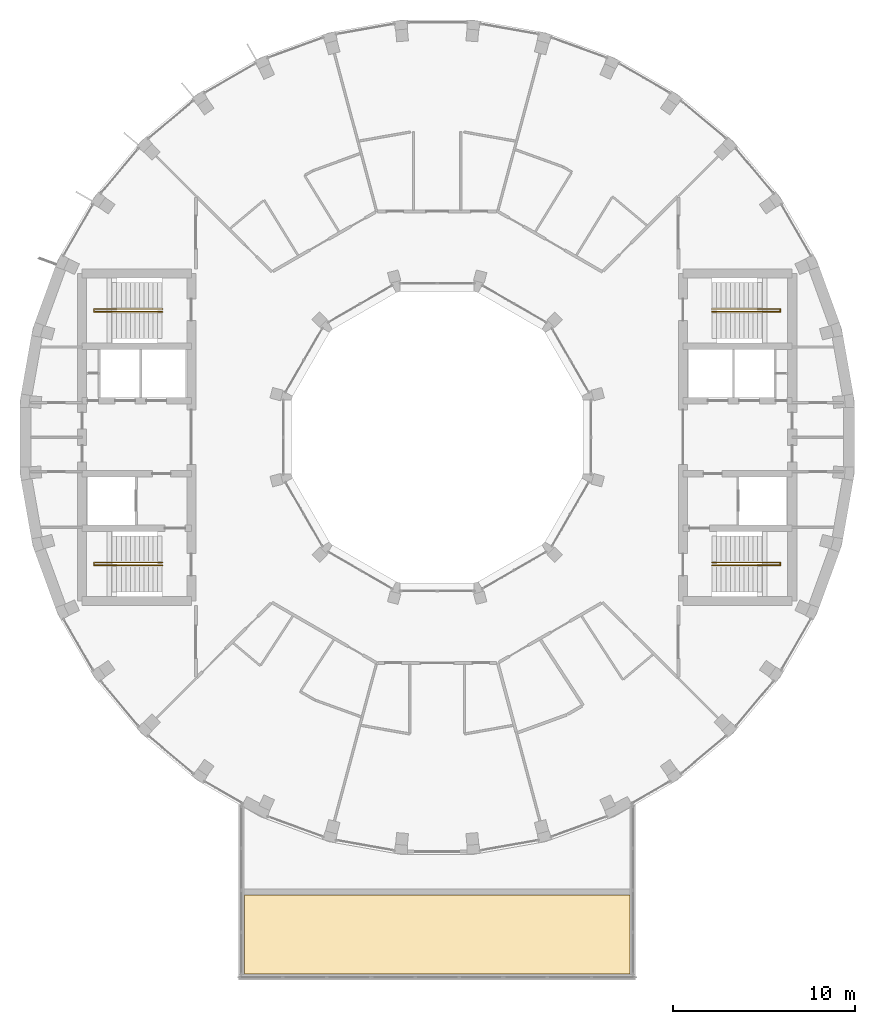
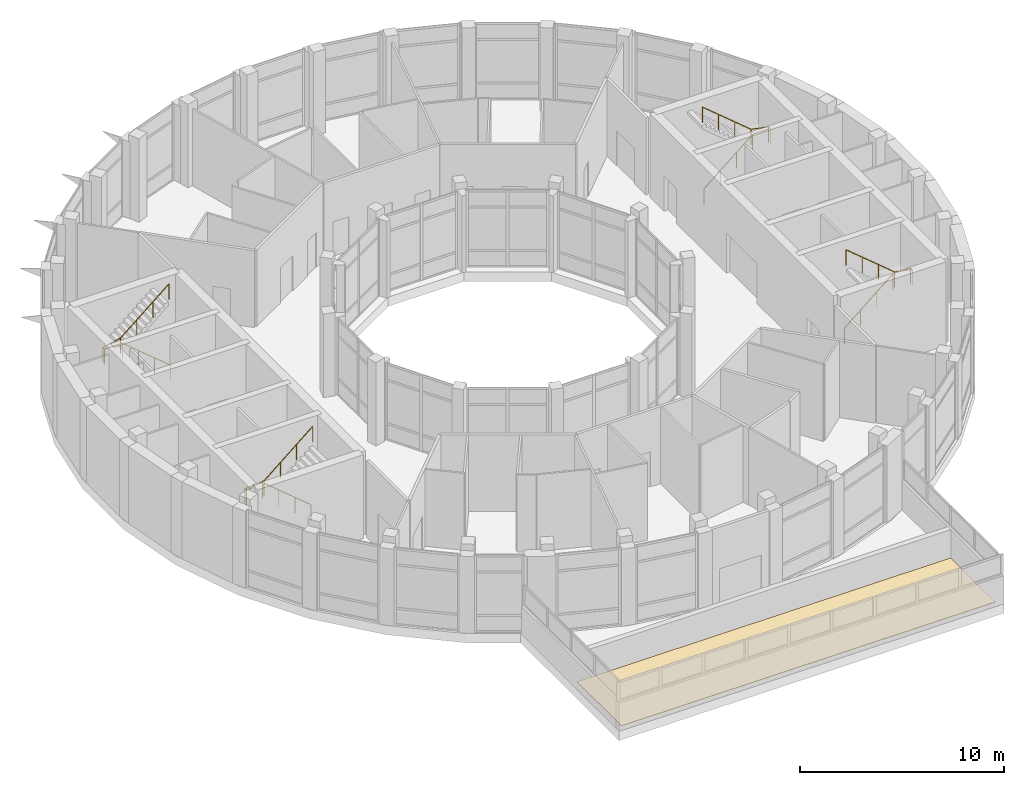
# One storey, part 19 of 19: 4 railings, 1 covering.
"""IFC4 building model written with IfcOpenShell, lengths in metres."""

from ifc_helpers import new_model, si_unit, direction, frame, origin, origin_2d, place, context, subcontext, project, spatial, polyline, circle, outline, extrude, material, layer, layer_set, type_object, element, save


model = new_model("IFC4")

# Units and contexts
model_context = context("Model", 3, precision=1e-05, world=origin(), true_north=direction((0.0, 1.0)))
body_context = subcontext(model_context, "Body", "Model", "MODEL_VIEW")
ifc_project = project(units=[si_unit("LENGTHUNIT", "METRE"), si_unit("AREAUNIT", "SQUARE_METRE"), si_unit("VOLUMEUNIT", "CUBIC_METRE"), si_unit("PLANEANGLEUNIT", "RADIAN"), si_unit("MASSUNIT", "GRAM", prefix="KILO")], contexts=[model_context])

# Site, building, storey
site_placement = place(None, origin())
site = spatial("IfcSite", under=ifc_project, at=site_placement, CompositionType="ELEMENT")
building_placement = place(site_placement, origin())
building = spatial("IfcBuilding", under=site, at=building_placement, Name="Saqina Gate Tower", CompositionType="ELEMENT")
storey_placement = place(building_placement, frame((0.0, 0.0, 224.699951171875)))
storey = spatial("IfcBuildingStorey", under=building, at=storey_placement, Name="L64", CompositionType="ELEMENT", Elevation=224.699951171875)

# Covering
ifc_material_1 = material(Name="Glazed ceramic tile", Category="ceramic")
ifc_layer = layer(ifc_material_1, 0.030029296875)
ifc_layer_set = layer_set([ifc_layer], Name="CV-POOL")
covering_type = type_object("IfcCoveringType", Name="CV-POOL", PredefinedType="FLOORING", material=ifc_layer_set)
covering_placement = place(storey_placement, origin())
element("IfcCovering", 1, at=covering_placement, inside=storey, type_object=covering_type, Name="Sky pool tile lining", PredefinedType="FLOORING", context=body_context, shape_type="SweptSolid", body=[
    extrude(outline(polyline([(-10.580078125, -29.492431640625), (10.580078125, -29.492431640625), (10.580078125, -25.132568359375), (-10.580078125, -25.132568359375), (-10.580078125, -29.492431640625)])), origin(), (0.0, 0.0, 1.0), 0.030029296875),
])

# Railings
ifc_material_2 = material(Name="Stainless steel", Category="steel")
railing_type = type_object("IfcRailingType", Name="STAIR HANDRAIL", PredefinedType="HANDRAIL", material=ifc_material_2)
railing_1_placement = place(storey_placement, frame((15.10009765625, 6.88330078125, 0.20849609375)))
element("IfcRailing", 2, at=railing_1_placement, inside=storey, type_object=railing_type, Name="EXIT STAIR 1 HANDRAIL", PredefinedType="HANDRAIL", context=body_context, shape_type="SweptSolid", body=[
    extrude(circle(Radius=0.02392578125, at=origin_2d()), frame((0.0, 0.0, 0.92578125), z_axis=(0.768243640915, 0.0, 0.64015756513), x_axis=(0.0, 1.0, 0.0)), (0.0, 0.0, 1.0), 3.57958984375),
    extrude(circle(Radius=0.02392578125, at=origin_2d()), frame((2.75, 0.0, 3.21728515625), z_axis=(1.0, 0.0, 0.0), x_axis=(0.0, 1.0, 0.0)), (0.0, 0.0, 1.0), 1.0),
    extrude(circle(Radius=0.02392578125, at=origin_2d()), frame((3.75, 0.0, 3.21728515625), z_axis=(0.0, 1.0, 0.0), x_axis=(-1.0, 0.0, 0.0)), (0.0, 0.0, 1.0), 0.158447265625),
    extrude(circle(Radius=0.02392578125, at=origin_2d()), frame((3.75, 0.158447265625, 3.21728515625), z_axis=(-0.978948594034, 0.0, 0.204106957838), x_axis=(0.0, -1.0, 0.0)), (0.0, 0.0, 1.0), 1.021484375),
    extrude(circle(Radius=0.02392578125, at=origin_2d()), frame((2.75, 0.158447265625, 3.42578125), z_axis=(-0.768243640915, 0.0, 0.64015756513), x_axis=(0.0, -1.0, 0.0)), (0.0, 0.0, 1.0), 3.57958984375),
    extrude(circle(Radius=0.02099609375, at=origin_2d()), origin(), (0.0, 0.0, 1.0), 0.90185546875),
    extrude(circle(Radius=0.02099609375, at=origin_2d()), frame((0.916748046875, 0.0, 0.763916015625)), (0.0, 0.0, 1.0), 0.90185546875),
    extrude(circle(Radius=0.02099609375, at=origin_2d()), frame((1.833251953125, 0.0, 1.527587890625)), (0.0, 0.0, 1.0), 0.90185546875),
    extrude(circle(Radius=0.02099609375, at=origin_2d()), frame((2.75, 0.0, 2.29150390625)), (0.0, 0.0, 1.0), 0.90185546875),
    extrude(circle(Radius=0.02099609375, at=origin_2d()), frame((3.75, 0.0, 2.29150390625)), (0.0, 0.0, 1.0), 0.90185546875),
    extrude(circle(Radius=0.02099609375, at=origin_2d()), frame((3.75, 0.158447265625, 2.29150390625)), (0.0, 0.0, 1.0), 0.90185546875),
    extrude(circle(Radius=0.02099609375, at=origin_2d()), frame((2.75, 0.158447265625, 2.5)), (0.0, 0.0, 1.0), 0.90185546875),
    extrude(circle(Radius=0.02099609375, at=origin_2d()), frame((1.833251953125, 0.158447265625, 3.263916015625)), (0.0, 0.0, 1.0), 0.90185546875),
    extrude(circle(Radius=0.02099609375, at=origin_2d()), frame((0.916748046875, 0.158447265625, 4.027587890625)), (0.0, 0.0, 1.0), 0.90185546875),
    extrude(circle(Radius=0.02099609375, at=origin_2d()), frame((0.0, 0.158447265625, 4.79150390625)), (0.0, 0.0, 1.0), 0.90185546875),
])
railing_2_placement = place(storey_placement, frame((15.10009765625, -6.88330078125, 0.20849609375)))
element("IfcRailing", 3, at=railing_2_placement, inside=storey, type_object=railing_type, Name="EXIT STAIR 2 HANDRAIL", PredefinedType="HANDRAIL", context=body_context, shape_type="SweptSolid", body=[
    extrude(circle(Radius=0.02392578125, at=origin_2d()), frame((0.0, 0.0, 0.92578125), z_axis=(0.768243640915, 0.0, 0.64015756513), x_axis=(0.0, 1.0, 0.0)), (0.0, 0.0, 1.0), 3.57958984375),
    extrude(circle(Radius=0.02392578125, at=origin_2d()), frame((2.75, 0.0, 3.21728515625), z_axis=(1.0, 0.0, 0.0), x_axis=(0.0, 1.0, 0.0)), (0.0, 0.0, 1.0), 1.0),
    extrude(circle(Radius=0.02392578125, at=origin_2d()), frame((3.75, 0.0, 3.21728515625), z_axis=(0.0, -1.0, 0.0), x_axis=(1.0, 0.0, 0.0)), (0.0, 0.0, 1.0), 0.158447265625),
    extrude(circle(Radius=0.02392578125, at=origin_2d()), frame((3.75, -0.158447265625, 3.21728515625), z_axis=(-0.978948594034, 0.0, 0.204106957838), x_axis=(0.0, -1.0, 0.0)), (0.0, 0.0, 1.0), 1.021484375),
    extrude(circle(Radius=0.02392578125, at=origin_2d()), frame((2.75, -0.158447265625, 3.42578125), z_axis=(-0.768243640915, 0.0, 0.64015756513), x_axis=(0.0, -1.0, 0.0)), (0.0, 0.0, 1.0), 3.57958984375),
    extrude(circle(Radius=0.02099609375, at=origin_2d()), origin(), (0.0, 0.0, 1.0), 0.90185546875),
    extrude(circle(Radius=0.02099609375, at=origin_2d()), frame((0.916748046875, 0.0, 0.763916015625)), (0.0, 0.0, 1.0), 0.90185546875),
    extrude(circle(Radius=0.02099609375, at=origin_2d()), frame((1.833251953125, 0.0, 1.527587890625)), (0.0, 0.0, 1.0), 0.90185546875),
    extrude(circle(Radius=0.02099609375, at=origin_2d()), frame((2.75, 0.0, 2.29150390625)), (0.0, 0.0, 1.0), 0.90185546875),
    extrude(circle(Radius=0.02099609375, at=origin_2d()), frame((3.75, 0.0, 2.29150390625)), (0.0, 0.0, 1.0), 0.90185546875),
    extrude(circle(Radius=0.02099609375, at=origin_2d()), frame((3.75, -0.158447265625, 2.29150390625)), (0.0, 0.0, 1.0), 0.90185546875),
    extrude(circle(Radius=0.02099609375, at=origin_2d()), frame((2.75, -0.158447265625, 2.5)), (0.0, 0.0, 1.0), 0.90185546875),
    extrude(circle(Radius=0.02099609375, at=origin_2d()), frame((1.833251953125, -0.158447265625, 3.263916015625)), (0.0, 0.0, 1.0), 0.90185546875),
    extrude(circle(Radius=0.02099609375, at=origin_2d()), frame((0.916748046875, -0.158447265625, 4.027587890625)), (0.0, 0.0, 1.0), 0.90185546875),
    extrude(circle(Radius=0.02099609375, at=origin_2d()), frame((0.0, -0.158447265625, 4.79150390625)), (0.0, 0.0, 1.0), 0.90185546875),
])
railing_3_placement = place(storey_placement, frame((-15.10009765625, 6.88330078125, 0.20849609375)))
element("IfcRailing", 4, at=railing_3_placement, inside=storey, type_object=railing_type, Name="EXIT STAIR 3 HANDRAIL", PredefinedType="HANDRAIL", context=body_context, shape_type="SweptSolid", body=[
    extrude(circle(Radius=0.02392578125, at=origin_2d()), frame((0.0, 0.0, 0.92578125), z_axis=(-0.768243640915, 0.0, 0.64015756513), x_axis=(0.0, -1.0, 0.0)), (0.0, 0.0, 1.0), 3.57958984375),
    extrude(circle(Radius=0.02392578125, at=origin_2d()), frame((-2.75, 0.0, 3.21728515625), z_axis=(-1.0, 0.0, 0.0), x_axis=(0.0, -1.0, 0.0)), (0.0, 0.0, 1.0), 1.0),
    extrude(circle(Radius=0.02392578125, at=origin_2d()), frame((-3.75, 0.0, 3.21728515625), z_axis=(0.0, 1.0, 0.0), x_axis=(-1.0, 0.0, 0.0)), (0.0, 0.0, 1.0), 0.158447265625),
    extrude(circle(Radius=0.02392578125, at=origin_2d()), frame((-3.75, 0.158447265625, 3.21728515625), z_axis=(0.978948594034, 0.0, 0.204106957838), x_axis=(0.0, 1.0, 0.0)), (0.0, 0.0, 1.0), 1.021484375),
    extrude(circle(Radius=0.02392578125, at=origin_2d()), frame((-2.75, 0.158447265625, 3.42578125), z_axis=(0.768243640915, 0.0, 0.64015756513), x_axis=(0.0, 1.0, 0.0)), (0.0, 0.0, 1.0), 3.57958984375),
    extrude(circle(Radius=0.02099609375, at=origin_2d()), origin(), (0.0, 0.0, 1.0), 0.90185546875),
    extrude(circle(Radius=0.02099609375, at=origin_2d()), frame((-0.916748046875, 0.0, 0.763916015625)), (0.0, 0.0, 1.0), 0.90185546875),
    extrude(circle(Radius=0.02099609375, at=origin_2d()), frame((-1.833251953125, 0.0, 1.527587890625)), (0.0, 0.0, 1.0), 0.90185546875),
    extrude(circle(Radius=0.02099609375, at=origin_2d()), frame((-2.75, 0.0, 2.29150390625)), (0.0, 0.0, 1.0), 0.90185546875),
    extrude(circle(Radius=0.02099609375, at=origin_2d()), frame((-3.75, 0.0, 2.29150390625)), (0.0, 0.0, 1.0), 0.90185546875),
    extrude(circle(Radius=0.02099609375, at=origin_2d()), frame((-3.75, 0.158447265625, 2.29150390625)), (0.0, 0.0, 1.0), 0.90185546875),
    extrude(circle(Radius=0.02099609375, at=origin_2d()), frame((-2.75, 0.158447265625, 2.5)), (0.0, 0.0, 1.0), 0.90185546875),
    extrude(circle(Radius=0.02099609375, at=origin_2d()), frame((-1.833251953125, 0.158447265625, 3.263916015625)), (0.0, 0.0, 1.0), 0.90185546875),
    extrude(circle(Radius=0.02099609375, at=origin_2d()), frame((-0.916748046875, 0.158447265625, 4.027587890625)), (0.0, 0.0, 1.0), 0.90185546875),
    extrude(circle(Radius=0.02099609375, at=origin_2d()), frame((0.0, 0.158447265625, 4.79150390625)), (0.0, 0.0, 1.0), 0.90185546875),
])
railing_4_placement = place(storey_placement, frame((-15.10009765625, -6.88330078125, 0.20849609375)))
element("IfcRailing", 5, at=railing_4_placement, inside=storey, type_object=railing_type, Name="EXIT STAIR 4 HANDRAIL", PredefinedType="HANDRAIL", context=body_context, shape_type="SweptSolid", body=[
    extrude(circle(Radius=0.02392578125, at=origin_2d()), frame((0.0, 0.0, 0.92578125), z_axis=(-0.768243640915, 0.0, 0.64015756513), x_axis=(0.0, -1.0, 0.0)), (0.0, 0.0, 1.0), 3.57958984375),
    extrude(circle(Radius=0.02392578125, at=origin_2d()), frame((-2.75, 0.0, 3.21728515625), z_axis=(-1.0, 0.0, 0.0), x_axis=(0.0, -1.0, 0.0)), (0.0, 0.0, 1.0), 1.0),
    extrude(circle(Radius=0.02392578125, at=origin_2d()), frame((-3.75, 0.0, 3.21728515625), z_axis=(0.0, -1.0, 0.0), x_axis=(1.0, 0.0, 0.0)), (0.0, 0.0, 1.0), 0.158447265625),
    extrude(circle(Radius=0.02392578125, at=origin_2d()), frame((-3.75, -0.158447265625, 3.21728515625), z_axis=(0.978948594034, 0.0, 0.204106957838), x_axis=(0.0, 1.0, 0.0)), (0.0, 0.0, 1.0), 1.021484375),
    extrude(circle(Radius=0.02392578125, at=origin_2d()), frame((-2.75, -0.158447265625, 3.42578125), z_axis=(0.768243640915, 0.0, 0.64015756513), x_axis=(0.0, 1.0, 0.0)), (0.0, 0.0, 1.0), 3.57958984375),
    extrude(circle(Radius=0.02099609375, at=origin_2d()), origin(), (0.0, 0.0, 1.0), 0.90185546875),
    extrude(circle(Radius=0.02099609375, at=origin_2d()), frame((-0.916748046875, 0.0, 0.763916015625)), (0.0, 0.0, 1.0), 0.90185546875),
    extrude(circle(Radius=0.02099609375, at=origin_2d()), frame((-1.833251953125, 0.0, 1.527587890625)), (0.0, 0.0, 1.0), 0.90185546875),
    extrude(circle(Radius=0.02099609375, at=origin_2d()), frame((-2.75, 0.0, 2.29150390625)), (0.0, 0.0, 1.0), 0.90185546875),
    extrude(circle(Radius=0.02099609375, at=origin_2d()), frame((-3.75, 0.0, 2.29150390625)), (0.0, 0.0, 1.0), 0.90185546875),
    extrude(circle(Radius=0.02099609375, at=origin_2d()), frame((-3.75, -0.158447265625, 2.29150390625)), (0.0, 0.0, 1.0), 0.90185546875),
    extrude(circle(Radius=0.02099609375, at=origin_2d()), frame((-2.75, -0.158447265625, 2.5)), (0.0, 0.0, 1.0), 0.90185546875),
    extrude(circle(Radius=0.02099609375, at=origin_2d()), frame((-1.833251953125, -0.158447265625, 3.263916015625)), (0.0, 0.0, 1.0), 0.90185546875),
    extrude(circle(Radius=0.02099609375, at=origin_2d()), frame((-0.916748046875, -0.158447265625, 4.027587890625)), (0.0, 0.0, 1.0), 0.90185546875),
    extrude(circle(Radius=0.02099609375, at=origin_2d()), frame((0.0, -0.158447265625, 4.79150390625)), (0.0, 0.0, 1.0), 0.90185546875),
])

save(model, "model.ifc")
